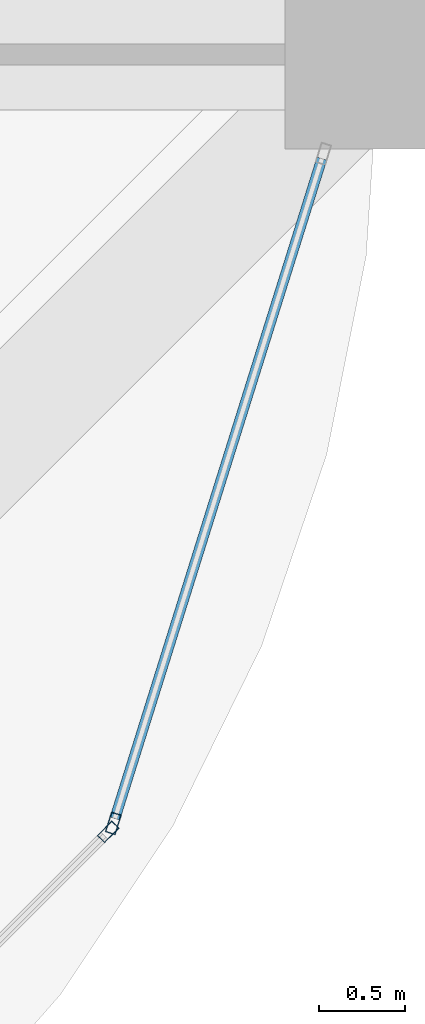
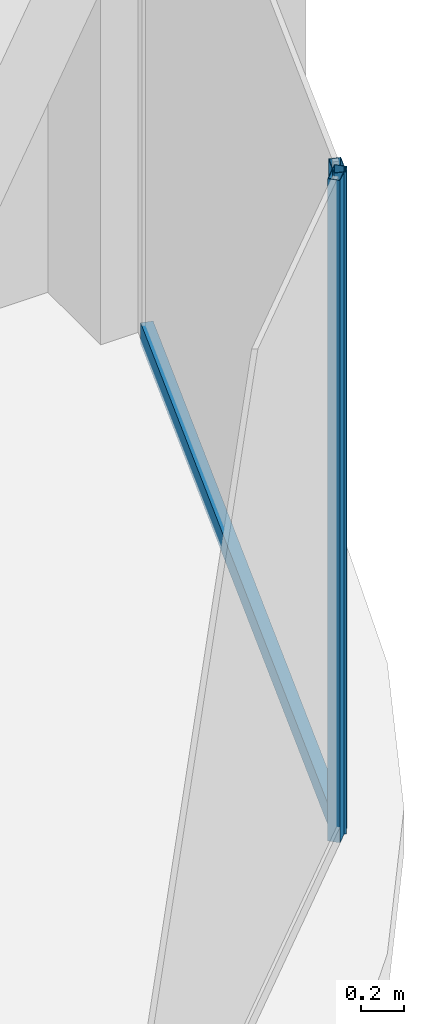
# One storey, part 20 of 44: 3 members, 2 elements without a shape of their own.
"""IFC4 building model written with IfcOpenShell, lengths in metres."""

from ifc_helpers import new_model, si_unit, direction, frame, origin, origin_2d, place, context, subcontext, project, spatial, hollow_rectangle, extrude, material, material_profile, profile_set, type_object, element, aggregate, save


model = new_model("IFC4")

# Units and contexts
model_context = context("Model", 3, precision=1e-05, world=origin(), true_north=direction((0.0, 1.0)))
body_context = subcontext(model_context, "Body", "Model", "MODEL_VIEW")
ifc_project = project(units=[si_unit("LENGTHUNIT", "METRE"), si_unit("AREAUNIT", "SQUARE_METRE"), si_unit("VOLUMEUNIT", "CUBIC_METRE"), si_unit("PLANEANGLEUNIT", "RADIAN"), si_unit("MASSUNIT", "GRAM", prefix="KILO")], contexts=[model_context])

# Site, building, storey
site_placement = place(None, origin())
site = spatial("IfcSite", under=ifc_project, at=site_placement, CompositionType="ELEMENT")
building_placement = place(site_placement, origin())
building = spatial("IfcBuilding", under=site, at=building_placement, Name="Zorevar Civic Tower", CompositionType="ELEMENT")
storey_placement = place(building_placement, frame((0.0, 0.0, 267.39990234375)))
storey = spatial("IfcBuildingStorey", under=building, at=storey_placement, Name="L65", CompositionType="ELEMENT", Elevation=267.39990234375)

# Curtain wall, member
ifc_material_1 = material(Name="Dark grey solar-control glass in black aluminium frame", Category="aluminium")
curtain_wall_type = type_object("IfcCurtainWallType", Name="Curtain wall CW5 top zone", PredefinedType="NOTDEFINED", material=ifc_material_1)
curtain_wall_1_placement = place(storey_placement, origin())
curtain_wall_1 = element("IfcCurtainWall", 1, at=curtain_wall_1_placement, inside=storey, type_object=curtain_wall_type, Name="CW5 L65", PredefinedType="NOTDEFINED")
ifc_material_2 = material(Name="Aluminium, black anodised", Category="aluminium")
ifc_material_profile_1 = material_profile(ifc_material_2, hollow_rectangle(XDim=0.06005859375, YDim=0.1201171875, WallThickness=0.0029296875, at=origin_2d()), Name="AL 120x60x3")
ifc_profile_set_1 = profile_set([ifc_material_profile_1], Name="Aluminium, black anodised")
member_type_1 = type_object("IfcMemberType", Name="CW5 mullion AL 120x60x3", PredefinedType="MULLION", material=ifc_profile_set_1)
member_1_placement = place(storey_placement, frame((52.419677734375, 4.470947265625, 0.0), z_axis=(0.0, 0.0, 1.0), x_axis=(-0.707106781187, 0.707106781187, 0.0)))
member_1 = element("IfcMember", 2, at=member_1_placement, type_object=member_type_1, Name="CW5 mullion 2", PredefinedType="MULLION", context=body_context, shape_type="SweptSolid", body=[
    extrude(hollow_rectangle(XDim=0.06005859375, YDim=0.1201171875, WallThickness=0.0029296875, at=origin_2d()), origin(), (0.0, 0.0, 1.0), 3.75),
])
aggregate(curtain_wall_1, [member_1])

# Curtain wall, members
curtain_wall_2_placement = place(storey_placement, origin())
curtain_wall_2 = element("IfcCurtainWall", 3, at=curtain_wall_2_placement, inside=storey, type_object=curtain_wall_type, Name="CW5 L65", PredefinedType="NOTDEFINED")
member_2_placement = place(storey_placement, frame((52.449951171875, 4.520751953125, 0.0), z_axis=(0.0, 0.0, 1.0), x_axis=(-0.954153437674, 0.299317920238, 0.0)))
member_2 = element("IfcMember", 4, at=member_2_placement, type_object=member_type_1, Name="CW5 mullion 1", PredefinedType="MULLION", context=body_context, shape_type="SweptSolid", body=[
    extrude(hollow_rectangle(XDim=0.06005859375, YDim=0.1201171875, WallThickness=0.0029296875, at=origin_2d()), origin(), (0.0, 0.0, 1.0), 3.75),
])
ifc_material_3 = material(Name="Aluminium, black anodised", Category="aluminium")
ifc_material_profile_2 = material_profile(ifc_material_3, hollow_rectangle(XDim=0.06005859375, YDim=0.1201171875, WallThickness=0.0029296875, at=origin_2d()), Name="AL 120x60x3")
ifc_profile_set_2 = profile_set([ifc_material_profile_2], Name="Aluminium, black anodised")
member_type_2 = type_object("IfcMemberType", Name="CW5 transom AL 120x60x3", PredefinedType="USERDEFINED", material=ifc_profile_set_2)
member_3_placement = place(storey_placement, frame((52.458984375, 4.54931640625, 0.030029296875), z_axis=(0.299285978047, 0.954163457351, 0.0), x_axis=(-0.954163457351, 0.299285978047, 0.0)))
member_3 = element("IfcMember", 5, at=member_3_placement, type_object=member_type_2, Name="CW5 sill transom", ObjectType="TRANSOM", PredefinedType="USERDEFINED", context=body_context, shape_type="SweptSolid", body=[
    extrude(hollow_rectangle(XDim=0.06005859375, YDim=0.1201171875, WallThickness=0.0029296875, at=origin_2d()), origin(), (0.0, 0.0, 1.0), 4.028076171875),
])
aggregate(curtain_wall_2, [member_2, member_3])

save(model, "model.ifc")
